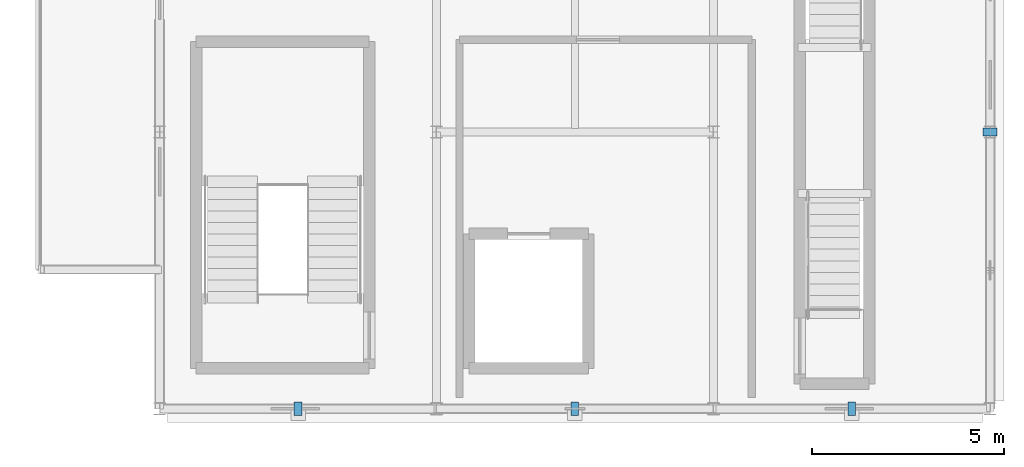
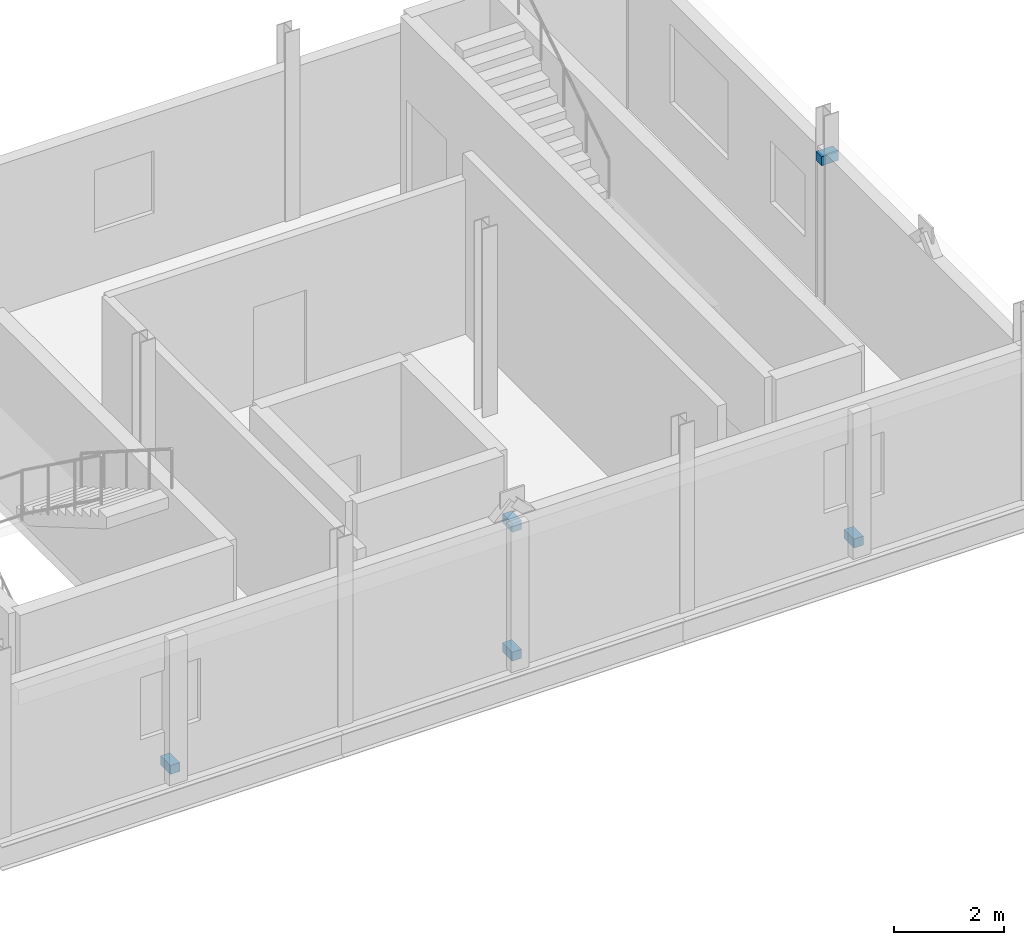
# One storey, part 43 of 47: 5 discrete accessories.
"""IFC4 building model written with IfcOpenShell, lengths in metres."""

from ifc_helpers import new_model, si_unit, direction, frame, origin, origin_2d, place, context, subcontext, project, spatial, rectangle, extrude, material, type_object, element, save


model = new_model("IFC4")

# Units and contexts
model_context = context("Model", 3, precision=1e-05, world=origin(), true_north=direction((0.0, 1.0)))
body_context = subcontext(model_context, "Body", "Model", "MODEL_VIEW")
ifc_project = project(units=[si_unit("LENGTHUNIT", "METRE"), si_unit("AREAUNIT", "SQUARE_METRE"), si_unit("VOLUMEUNIT", "CUBIC_METRE"), si_unit("PLANEANGLEUNIT", "RADIAN"), si_unit("MASSUNIT", "GRAM", prefix="KILO")], contexts=[model_context])

# Site, building, storey
site_placement = place(None, origin())
site = spatial("IfcSite", under=ifc_project, at=site_placement, CompositionType="ELEMENT")
building_placement = place(site_placement, origin())
building = spatial("IfcBuilding", under=site, at=building_placement, Name="Yarey Park Central Fire Station", CompositionType="ELEMENT")
storey_placement = place(building_placement, frame((0.0, 0.0, 18.0)))
storey = spatial("IfcBuildingStorey", under=building, at=storey_placement, Name="L05", CompositionType="ELEMENT", Elevation=18.0)

# Discrete accessories
ifc_material = material(Name="Stainless Steel AISI 316L", Category="steel")
discrete_accessory_type = type_object("IfcDiscreteAccessoryType", Name="ENV_BRK_SS1", PredefinedType="BRACKET", material=ifc_material)
discrete_accessory_placement = place(storey_placement, frame((165.60009765625, 7.199951171875, 3.06982421875), z_axis=(0.0, 0.0, 1.0), x_axis=(1.0, 0.0, 0.0)))
element("IfcDiscreteAccessory", 1, at=discrete_accessory_placement, inside=storey, type_object=discrete_accessory_type, Name="BRK_FIN_L05_DTE_HOOD", PredefinedType="BRACKET", context=body_context, shape_type="SweptSolid", body=[
    extrude(rectangle(XDim=0.360107421875, YDim=0.199951171875, at=origin_2d()), origin(), (0.0, 0.0, 1.0), 0.199951171875),
])
for number, where, z_axis, x_axis, name in (
    (2, (154.800048828125, 0.0, 3.06982421875), (0.0, 0.0, 1.0), (1.0, 0.0, 0.0), "BRK_FIN_L05_DTS_HOOD"),
    (3, (147.60009765625, 0.0, 0.2001953125), (0.0, 0.0, 1.0), (1.0, 0.0, 0.0), "BRK_FIN_L05_DTS_PIL_1"),
    (4, (154.800048828125, 0.0, 0.2001953125), (0.0, 0.0, 1.0), (1.0, 0.0, 0.0), "BRK_FIN_L05_DTS_PIL_2"),
    (5, (162.0, 0.0, 0.2001953125), (0.0, 0.0, 1.0), (1.0, 0.0, 0.0), "BRK_FIN_L05_DTS_PIL_3"),
):
    element("IfcDiscreteAccessory", number, at=place(storey_placement, frame(where, z_axis=z_axis, x_axis=x_axis)), inside=storey, type_object=discrete_accessory_type, Name=name, PredefinedType="BRACKET", context=body_context, shape_type="SweptSolid", body=[
        extrude(rectangle(XDim=0.199951171875, YDim=0.360107421875, at=origin_2d()), origin(), (0.0, 0.0, 1.0), 0.199951171875),
    ])

save(model, "model.ifc")
